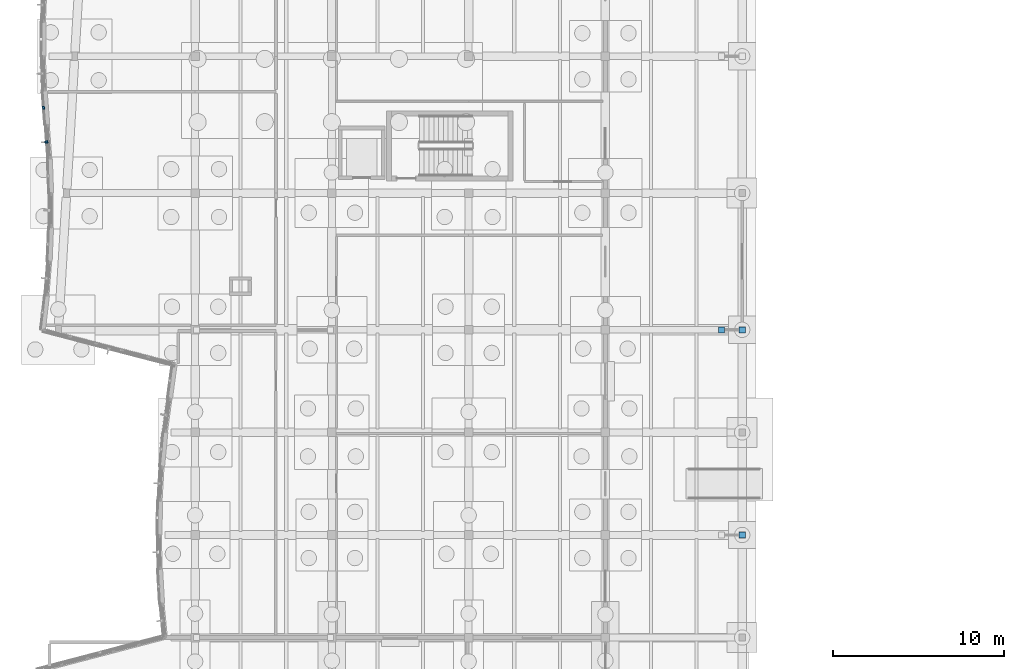
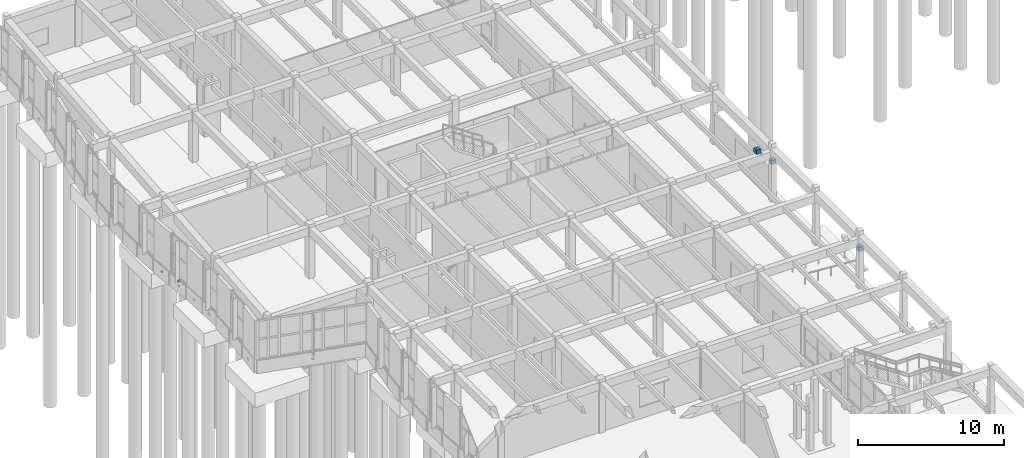
# One storey, part 77 of 99: 6 discrete accessories.
"""IFC4 building model written with IfcOpenShell, lengths in metres."""

from ifc_helpers import new_model, si_unit, direction, frame, origin, origin_2d, place, context, subcontext, project, spatial, rectangle, extrude, material, type_object, element, save


model = new_model("IFC4")

# Units and contexts
model_context = context("Model", 3, precision=1e-05, world=origin(), true_north=direction((0.0, 1.0)))
body_context = subcontext(model_context, "Body", "Model", "MODEL_VIEW")
ifc_project = project(units=[si_unit("LENGTHUNIT", "METRE"), si_unit("AREAUNIT", "SQUARE_METRE"), si_unit("VOLUMEUNIT", "CUBIC_METRE"), si_unit("PLANEANGLEUNIT", "RADIAN"), si_unit("MASSUNIT", "GRAM", prefix="KILO")], contexts=[model_context])

# Site, building, storey
site_placement = place(None, origin())
site = spatial("IfcSite", under=ifc_project, at=site_placement, CompositionType="ELEMENT")
building_placement = place(site_placement, origin())
building = spatial("IfcBuilding", under=site, at=building_placement, Name="Tonlespit Floodbar School", CompositionType="ELEMENT")
storey_placement = place(building_placement, origin())
storey = spatial("IfcBuildingStorey", under=building, at=storey_placement, Name="L00", CompositionType="ELEMENT", Elevation=0.0)

# Discrete accessories
ifc_material_1 = material(Name="Galvanised Steel", Category="steel")
discrete_accessory_type_1 = type_object("IfcDiscreteAccessoryType", Name="Bracket_Facade_S355", PredefinedType="BRACKET", material=ifc_material_1)
discrete_accessory_1_placement = place(storey_placement, frame((3.31640625, 66.990234375, 0.35498046875), z_axis=(0.0, 0.0, 1.0), x_axis=(-0.075681836348, 0.997132017161, 0.0)))
element("IfcDiscreteAccessory", 1, at=discrete_accessory_1_placement, inside=storey, type_object=discrete_accessory_type_1, Name="L00 white band support bracket 0499", PredefinedType="BRACKET", context=body_context, shape_type="SweptSolid", body=[
    extrude(rectangle(XDim=0.159912109375, YDim=0.1201171875, at=origin_2d()), origin(), (0.0, 0.0, 1.0), 0.1201171875),
])
discrete_accessory_2_placement = place(storey_placement, frame((3.306396484375, 66.989501953125, 0.7802734375), z_axis=(0.0, 0.0, 1.0), x_axis=(-0.075681836348, 0.997132017161, 0.0)))
element("IfcDiscreteAccessory", 2, at=discrete_accessory_2_placement, inside=storey, type_object=discrete_accessory_type_1, Name="Solar fin support bracket 120", PredefinedType="BRACKET", context=body_context, shape_type="SweptSolid", body=[
    extrude(rectangle(XDim=0.1201171875, YDim=0.179931640625, at=origin_2d()), origin(), (0.0, 0.0, 1.0), 0.139892578125),
])
discrete_accessory_3_placement = place(storey_placement, frame((3.134521484375, 68.98779296875, 0.3798828125), z_axis=(0.0, 0.0, 1.0), x_axis=(-0.075681836348, 0.997132017161, 0.0)))
element("IfcDiscreteAccessory", 3, at=discrete_accessory_3_placement, inside=storey, type_object=discrete_accessory_type_1, Name="L00 white band support bracket 0500", PredefinedType="BRACKET", context=body_context, shape_type="SweptSolid", body=[
    extrude(rectangle(XDim=0.159912109375, YDim=0.1201171875, at=origin_2d()), origin(), (0.0, 0.0, 1.0), 0.1201171875),
])
ifc_material_2 = material(Name="Steel S355", Category="steel")
discrete_accessory_type_2 = type_object("IfcDiscreteAccessoryType", Name="GussetShoe_Brace_S355", PredefinedType="SHOE", material=ifc_material_2)
for number, where, z_axis, x_axis, name in (
    (4, (44.0, 44.0, 3.1201171875), (0.0, 0.0, 1.0), (1.0, 0.0, 0.0), "L00 brace and chord end gusset shoe 0053"),
    (5, (44.0, 56.0, 3.1201171875), (0.0, 0.0, 1.0), (1.0, 0.0, 0.0), "L00 brace and chord end gusset shoe 0055"),
    (6, (42.800048828125, 56.0, 4.39990234375), (0.0, 0.0, 1.0), (1.0, 0.0, 0.0), "L00 brace and chord end gusset shoe 0056"),
):
    element("IfcDiscreteAccessory", number, at=place(storey_placement, frame(where, z_axis=z_axis, x_axis=x_axis)), inside=storey, type_object=discrete_accessory_type_2, Name=name, PredefinedType="SHOE", context=body_context, shape_type="SweptSolid", body=[
        extrude(rectangle(XDim=0.360107421875, YDim=0.360107421875, at=origin_2d()), origin(), (0.0, 0.0, 1.0), 0.360107421875),
    ])

save(model, "model.ifc")
